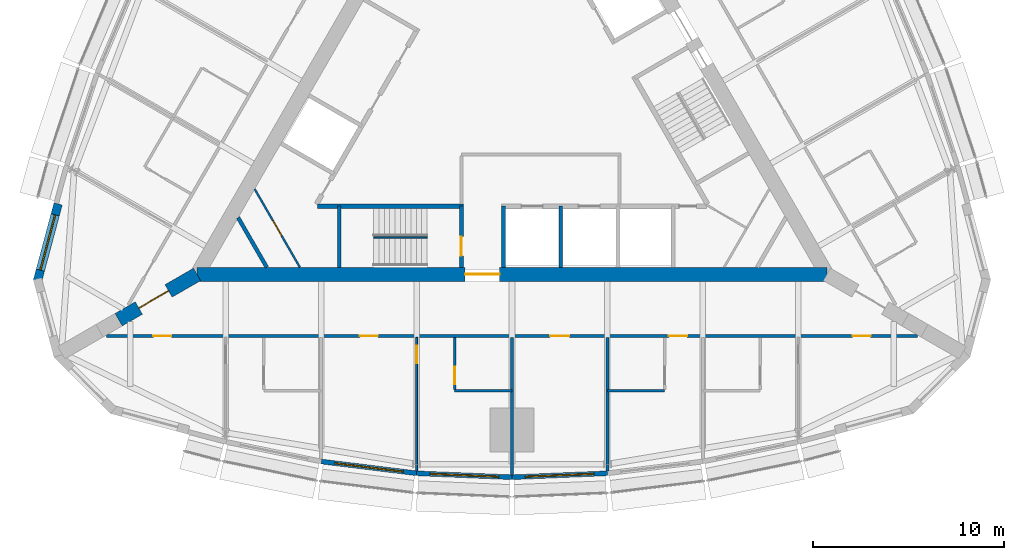
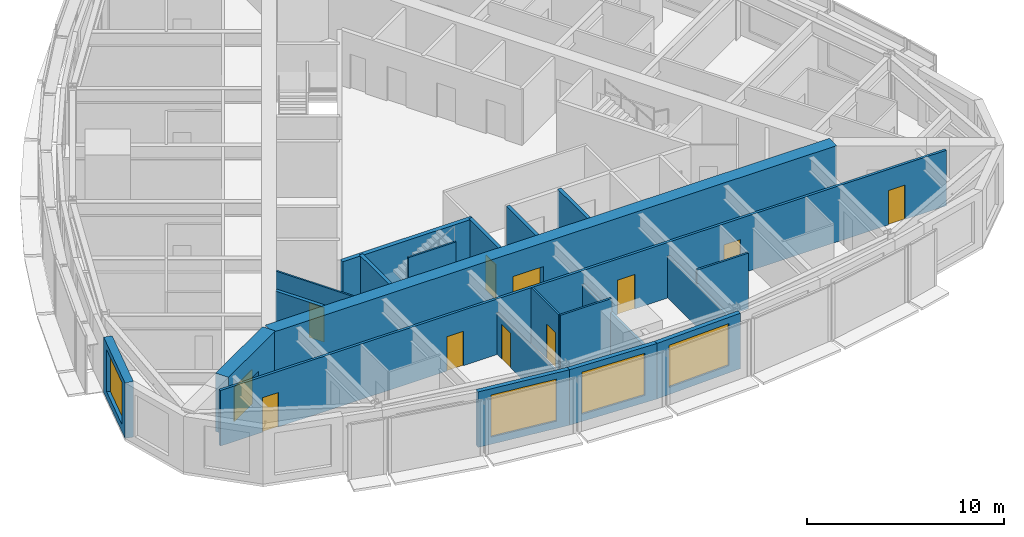
# One storey, part 9 of 15: 21 walls, 11 doors, 4 windows, 15 openings.
"""IFC4 building model written with IfcOpenShell, lengths in metres."""

import ifcopenshell
import ifcopenshell.guid

model = None  # the IFC model being written
_history = None  # IfcOwnerHistory: only IFC2X3 demands one
_inside = {}  # id of a spatial element -> (the spatial element, [elements in it])
_under = {}  # id of a project, library or spatial element -> (it, [spatial elements below it])
_declared = {}  # id of a project -> (the project, [libraries it declares])
_typed = {}  # id of a type object -> (the type object, [elements of that type])
_made_of = {}  # id of a material, layer set ... -> (it, [elements and type objects made of it])


def new_model(schema):
    """Start an empty IFC model of exactly this schema.

    Asked for "IFC4X3", IfcOpenShell would pick the latest addendum, in which some entities
    have other attributes; the version numbers below select the first issue.
    IFC2X3 requires an IfcOwnerHistory on every rooted entity: one is made here for all.
    """
    global model, _history
    if schema == "IFC4X3":
        model = ifcopenshell.file(schema_version=(4, 3, 0, 0))
    else:
        model = ifcopenshell.file(schema=schema)
    _inside.clear()
    _under.clear()
    _declared.clear()
    _typed.clear()
    _made_of.clear()
    _history = None
    if model.schema == "IFC2X3":
        org = make("IfcOrganization", Name="unknown")
        user = make(
            "IfcPersonAndOrganization",
            ThePerson=make("IfcPerson", FamilyName="unknown"),
            TheOrganization=org,
        )
        app = make(
            "IfcApplication",
            ApplicationDeveloper=org,
            Version="unknown",
            ApplicationFullName="unknown",
            ApplicationIdentifier="unknown",
        )
        _history = make(
            "IfcOwnerHistory",
            OwningUser=user,
            OwningApplication=app,
            ChangeAction="ADDED",
            CreationDate=0,
        )
    return model


def make(cls, **values):
    """One entity of the class cls with the attributes given. An attribute that is None is left unset."""
    return model.create_entity(
        cls, **{name: value for name, value in values.items() if value is not None}
    )


def rooted(cls, **values):
    """An entity with a GlobalId (a new one), such as an element, a storey or a relation."""
    return make(cls, GlobalId=ifcopenshell.guid.new(), OwnerHistory=_history, **values)


def si_unit(unit_type, name, prefix=None):
    """IfcSIUnit, for example si_unit("LENGTHUNIT", "METRE", prefix="MILLI")."""
    return make("IfcSIUnit", UnitType=unit_type, Prefix=prefix, Name=name)


def assignment(units):
    """IfcUnitAssignment: the units of a project."""
    return None if units is None else make("IfcUnitAssignment", Units=units)


def point(xyz):
    """IfcCartesianPoint."""
    return None if xyz is None else make("IfcCartesianPoint", Coordinates=xyz)


def direction(xyz):
    """IfcDirection."""
    return None if xyz is None else make("IfcDirection", DirectionRatios=xyz)


def frame(location, z_axis=None, x_axis=None):
    """IfcAxis2Placement3D, a coordinate frame: its origin and axes. An axis left out is left unset."""
    return make(
        "IfcAxis2Placement3D",
        Location=point(location),
        Axis=direction(z_axis),
        RefDirection=direction(x_axis),
    )


def frame_2d(location, x_axis=None):
    """IfcAxis2Placement2D, a coordinate frame in the plane: its origin and x axis."""
    return make(
        "IfcAxis2Placement2D", Location=point(location), RefDirection=direction(x_axis)
    )


def origin():
    """The frame at (0, 0, 0) with its axes left unset."""
    return frame((0.0, 0.0, 0.0))


def place(relative_to, where):
    """IfcLocalPlacement: puts the frame where relative to a parent placement (None: the world)."""
    return make(
        "IfcLocalPlacement", PlacementRelTo=relative_to, RelativePlacement=where
    )


def context(
    kind, dimensions, precision=None, world=None, true_north=None, identifier=None
):
    """IfcGeometricRepresentationContext, for example the 3D "Model" context."""
    return make(
        "IfcGeometricRepresentationContext",
        ContextIdentifier=identifier,
        ContextType=kind,
        CoordinateSpaceDimension=dimensions,
        Precision=precision,
        WorldCoordinateSystem=world,
        TrueNorth=true_north,
    )


def subcontext(parent, identifier, kind, view, scale=None):
    """IfcGeometricRepresentationSubContext, for example "Body" below "Model"."""
    return make(
        "IfcGeometricRepresentationSubContext",
        ContextIdentifier=identifier,
        ContextType=kind,
        ParentContext=parent,
        TargetScale=scale,
        TargetView=view,
    )


def project(units=None, contexts=None):
    """IfcProject with its units and contexts."""
    return rooted(
        "IfcProject",
        Name="project",
        RepresentationContexts=contexts,
        UnitsInContext=assignment(units),
    )


def spatial(cls, under=None, at=None, **own):
    """A site, building, storey or space (cls), placed at a placement, below another one or the project."""
    s = rooted(cls, ObjectPlacement=at, **own)
    if under is not None:
        _under.setdefault(under.id(), (under, []))[1].append(s)
    return s


def profile(cls, at=None, kind="AREA", **sizes):
    """A parametric profile (cls). Its sizes go by their IFC names, for example OverallWidth=200.0."""
    return make(cls, ProfileType=kind, Position=at, **sizes)


def rectangle(**sizes):
    """IfcRectangleProfileDef."""
    return profile("IfcRectangleProfileDef", **sizes)


def extrude(swept, where, along, depth):
    """IfcExtrudedAreaSolid: the profile swept, set in the frame where, extruded along a direction by depth."""
    return make(
        "IfcExtrudedAreaSolid",
        SweptArea=swept,
        Position=where,
        ExtrudedDirection=direction(along),
        Depth=depth,
    )


def shape(context_of_items, identifier, shape_type, items):
    """IfcShapeRepresentation: the items that make up one representation, for example the "Body"."""
    return make(
        "IfcShapeRepresentation",
        ContextOfItems=context_of_items,
        RepresentationIdentifier=identifier,
        RepresentationType=shape_type,
        Items=items,
    )


def material(Name=None, Category=None):
    """IfcMaterial."""
    return make("IfcMaterial", Name=Name, Category=Category)


def layer(
    of_material, thickness, ventilated=None, Name=None, Category=None, Priority=None
):
    """IfcMaterialLayer: one layer of a wall or slab, of a material (None: an air gap)."""
    return make(
        "IfcMaterialLayer",
        Material=of_material,
        LayerThickness=thickness,
        IsVentilated=ventilated,
        Name=Name,
        Category=Category,
        Priority=Priority,
    )


def layer_set(layers, Name=None):
    """IfcMaterialLayerSet."""
    return make("IfcMaterialLayerSet", MaterialLayers=layers, LayerSetName=Name)


def made_of(thing, what):
    """Note that an element or type object is made of a material, layer set ...; save() writes the relation."""
    if what is not None:
        _made_of.setdefault(what.id(), (what, []))[1].append(thing)
    return thing


def type_object(cls, material=None, **own):
    """A type object (cls), such as IfcWallType, which elements share."""
    return made_of(rooted(cls, **own), material)


def element(
    cls,
    number,
    at=None,
    inside=None,
    cuts=None,
    type_object=None,
    material=None,
    context=None,
    identifier="Body",
    shape_type=None,
    held_by="IfcProductDefinitionShape",
    body=None,
    shapes=None,
    **own,
):
    """One element of the class cls, such as IfcWall. Its Tag is "e" and its number.

    at: its placement. inside: the storey or other place that contains it. cuts: it is an
    opening in that element (IfcRelVoidsElement). A single representation is given by context,
    identifier, shape_type and body (its items); several are given by shapes. held_by: the class
    of the entity that holds the representations. save() writes the other relations.
    """
    e = rooted(cls, Tag="e%d" % number, ObjectPlacement=at, **own)
    if body is not None:
        shapes = [shape(context, identifier, shape_type, body)]
    if shapes is not None:
        e.Representation = make(held_by, Representations=shapes)
    if inside is not None:
        _inside.setdefault(inside.id(), (inside, []))[1].append(e)
    if cuts is not None:
        rooted(
            "IfcRelVoidsElement", RelatingBuildingElement=cuts, RelatedOpeningElement=e
        )
    if type_object is not None:
        _typed.setdefault(type_object.id(), (type_object, []))[1].append(e)
    return made_of(e, material)


def fill(opening, filler):
    """IfcRelFillsElement: the door or window that sits in an opening."""
    return rooted(
        "IfcRelFillsElement",
        RelatingOpeningElement=opening,
        RelatedBuildingElement=filler,
    )


def aggregate(whole, parts):
    """IfcRelAggregates: a whole, such as a stair, and the parts it consists of."""
    return rooted("IfcRelAggregates", RelatingObject=whole, RelatedObjects=parts)


def save(model, path):
    """Write the relations noted so far, then the file.

    IfcRelAggregates (storeys below a building ...), IfcRelContainedInSpatialStructure (elements
    in a storey), IfcRelDefinesByType, IfcRelAssociatesMaterial and IfcRelDeclares: one each for
    every whole, place, type object, material and project.
    """
    for whole, parts in _under.values():
        aggregate(whole, parts)
    for where, things in _inside.values():
        rooted(
            "IfcRelContainedInSpatialStructure",
            RelatedElements=things,
            RelatingStructure=where,
        )
    for kind, things in _typed.values():
        rooted("IfcRelDefinesByType", RelatedObjects=things, RelatingType=kind)
    for what, things in _made_of.values():
        rooted("IfcRelAssociatesMaterial", RelatedObjects=things, RelatingMaterial=what)
    for by, libraries in _declared.values():
        rooted("IfcRelDeclares", RelatingContext=by, RelatedDefinitions=libraries)
    model.write(path)


model = new_model("IFC4")

# Units and contexts
model_context = context("Model", 3, precision=1e-05, world=origin(), true_north=direction((0.0, 1.0)))
body_context = subcontext(model_context, "Body", "Model", "MODEL_VIEW")
ifc_project = project(units=[si_unit("LENGTHUNIT", "METRE"), si_unit("AREAUNIT", "SQUARE_METRE"), si_unit("VOLUMEUNIT", "CUBIC_METRE"), si_unit("PLANEANGLEUNIT", "RADIAN"), si_unit("MASSUNIT", "GRAM", prefix="KILO")], contexts=[model_context])

# Site, building, storey
site_placement = place(None, origin())
site = spatial("IfcSite", under=ifc_project, at=site_placement, CompositionType="ELEMENT")
building_placement = place(site_placement, origin())
building = spatial("IfcBuilding", under=site, at=building_placement, Name="Trikona Tower", CompositionType="ELEMENT")
storey_placement = place(building_placement, frame((0.0, 0.0, 226.10009765625)))
storey = spatial("IfcBuildingStorey", under=building, at=storey_placement, Name="L60", CompositionType="ELEMENT", Elevation=226.10009765625)

# Wall
ifc_material_1 = material(Name="Metal stud and cement board", Category="gypsum")
ifc_layer_1 = layer(ifc_material_1, 0.1201171875)
ifc_layer_set_1 = layer_set([ifc_layer_1], Name="Bathroom wall 120")
wall_type_1 = type_object("IfcWallType", Name="Bathroom wall 120", PredefinedType="PLUMBINGWALL", material=ifc_layer_set_1)
wall_1_placement = place(storey_placement, frame((-3.0, -15.626220703125, 0.0), z_axis=(0.0, 0.0, 1.0), x_axis=(1.0, 0.0, 0.0)))
element("IfcWall", 1, at=wall_1_placement, inside=storey, type_object=wall_type_1, Name="Bathroom wall 6002.1", PredefinedType="PLUMBINGWALL", context=body_context, shape_type="SweptSolid", body=[
    extrude(rectangle(XDim=3.0, YDim=0.1201171875, at=frame_2d((1.5, 0.0))), origin(), (0.0, 0.0, 1.0), 3.434814453125),
])

# Wall, opening, door
wall_2_placement = place(storey_placement, frame((-3.0, -12.826416015625, 0.0), z_axis=(0.0, 0.0, 1.0), x_axis=(0.0, -1.0, 0.0)))
wall_2 = element("IfcWall", 2, at=wall_2_placement, inside=storey, type_object=wall_type_1, Name="Bathroom wall 6002.1", PredefinedType="PLUMBINGWALL", context=body_context, shape_type="SweptSolid", body=[
    extrude(rectangle(XDim=2.739990234375, YDim=0.1201171875, at=frame_2d((1.3701171875, 0.0))), origin(), (0.0, 0.0, 1.0), 3.434814453125),
])
opening_1_placement = place(wall_2_placement, frame((1.550048828125, 0.0, 0.0)))
opening_1 = element("IfcOpeningElement", 3, at=opening_1_placement, cuts=wall_2, Name="Opening D2", PredefinedType="OPENING", context=body_context, shape_type="SweptSolid", body=[
    extrude(rectangle(XDim=0.89990234375, YDim=2.1298828125, at=frame_2d((0.449951171875, 1.06494140625))), frame((0.0, 0.070068359375, 0.0), z_axis=(0.0, -1.0, 0.0), x_axis=(1.0, 0.0, 0.0)), (0.0, 0.0, 1.0), 0.14013671875),
])
ifc_material_2 = material(Name="Steel door frame with solid-core timber leaf", Category="steel")
door_type_1 = type_object("IfcDoorType", Name="Bathroom door 900x2130", OperationType="SLIDING_TO_LEFT", PredefinedType="DOOR", material=ifc_material_2)
door_1_placement = place(opening_1_placement, origin())
door_1 = element("IfcDoor", 4, at=door_1_placement, inside=storey, type_object=door_type_1, Name="Bathroom door 6002.1", OperationType="SLIDING_TO_LEFT", OverallHeight=2.1298828125, OverallWidth=0.89990234375, PredefinedType="DOOR", context=body_context, shape_type="SweptSolid", body=[
    extrude(rectangle(XDim=0.89990234375, YDim=2.1298828125, at=frame_2d((0.449951171875, 1.06494140625))), frame((0.0, 0.02490234375, 0.0), z_axis=(0.0, -1.0, 0.0), x_axis=(1.0, 0.0, 0.0)), (0.0, 0.0, 1.0), 0.050048828125),
])
fill(opening_1, door_1)

# Wall
wall_3_placement = place(storey_placement, frame((5.0, -15.626220703125, 0.0), z_axis=(0.0, 0.0, 1.0), x_axis=(1.0, 0.0, 0.0)))
element("IfcWall", 5, at=wall_3_placement, inside=storey, type_object=wall_type_1, Name="Bathroom wall 6003", PredefinedType="PLUMBINGWALL", context=body_context, shape_type="SweptSolid", body=[
    extrude(rectangle(XDim=3.0, YDim=0.1201171875, at=frame_2d((1.5, 0.0))), origin(), (0.0, 0.0, 1.0), 3.434814453125),
])

# Wall, opening, window
ifc_material_3 = material(Name="Brick-faced precast concrete", Category="masonry")
ifc_layer_2 = layer(ifc_material_3, 0.449951171875)
ifc_layer_set_2 = layer_set([ifc_layer_2], Name="Brick-faced corner wall 450")
wall_type_2 = type_object("IfcWallType", Name="Brick-faced corner wall 450", PredefinedType="SOLIDWALL", material=ifc_layer_set_2)
wall_4_placement = place(storey_placement, frame((-23.78271484375, -5.831787109375, 0.0), z_axis=(0.0, 0.0, 1.0), x_axis=(-0.258784695888, -0.965935029479, 0.0)))
wall_4 = element("IfcWall", 6, at=wall_4_placement, inside=storey, type_object=wall_type_2, Name="External wall L60-32", PredefinedType="SOLIDWALL", context=body_context, shape_type="SweptSolid", body=[
    extrude(rectangle(XDim=4.18408203125, YDim=0.449951171875, at=frame_2d((2.092041015625, 0.0))), origin(), (0.0, 0.0, 1.0), 3.434814453125),
])
opening_2_placement = place(wall_4_placement, frame((0.592041015625, 0.0, 0.449951171875)))
opening_2 = element("IfcOpeningElement", 7, at=opening_2_placement, cuts=wall_4, Name="Opening W3026", PredefinedType="OPENING", context=body_context, shape_type="SweptSolid", body=[
    extrude(rectangle(XDim=3.0, YDim=2.60009765625, at=frame_2d((1.5, 1.300048828125))), frame((0.0, 0.23486328125, 0.0), z_axis=(0.0, -1.0, 0.0), x_axis=(1.0, 0.0, 0.0)), (0.0, 0.0, 1.0), 0.469970703125),
])
ifc_material_4 = material(Name="Aluminium-framed double glazing", Category="aluminium")
window_type_1 = type_object("IfcWindowType", Name="Window 3000x2600", PartitioningType="SINGLE_PANEL", PredefinedType="WINDOW", material=ifc_material_4)
window_1_placement = place(opening_2_placement, origin())
window_1 = element("IfcWindow", 8, at=window_1_placement, inside=storey, type_object=window_type_1, Name="Window 6012", OverallHeight=2.60009765625, OverallWidth=3.0, PartitioningType="SINGLE_PANEL", PredefinedType="WINDOW", context=body_context, shape_type="SweptSolid", body=[
    extrude(rectangle(XDim=3.0, YDim=2.60009765625, at=frame_2d((1.5, 1.300048828125))), frame((0.0, 0.030029296875, 0.0), z_axis=(0.0, -1.0, 0.0), x_axis=(1.0, 0.0, 0.0)), (0.0, 0.0, 1.0), 0.06005859375),
])
fill(opening_2, window_1)

# Wall, opening, door
ifc_material_5 = material(Name="Concrete f'c 10000 psi", Category="concrete")
ifc_layer_3 = layer(ifc_material_5, 0.75)
ifc_layer_set_3 = layer_set([ifc_layer_3], Name="Buttress wall 750")
wall_type_3 = type_object("IfcWallType", Name="Buttress wall 750", PredefinedType="SHEAR", material=ifc_layer_set_3)
wall_5_placement = place(storey_placement, frame((-16.5, -9.5263671875, 0.0), z_axis=(0.0, 0.0, 1.0), x_axis=(-0.866031398331, -0.499989616998, 0.0)))
wall_5 = element("IfcWall", 9, at=wall_5_placement, inside=storey, type_object=wall_type_3, Name="Buttress wall 3", PredefinedType="SHEAR", context=body_context, shape_type="SweptSolid", body=[
    extrude(rectangle(XDim=4.74609375, YDim=0.75, at=frame_2d((2.373046875, 0.0))), origin(), (0.0, 0.0, 1.0), 3.599853515625),
])
opening_3_placement = place(wall_5_placement, frame((1.72509765625, 0.0, 0.0)))
opening_3 = element("IfcOpeningElement", 10, at=opening_3_placement, cuts=wall_5, Name="Opening D10", PredefinedType="OPENING", context=body_context, shape_type="SweptSolid", body=[
    extrude(rectangle(XDim=1.800048828125, YDim=2.1298828125, at=frame_2d((0.89990234375, 1.06494140625))), frame((0.0, 0.385009765625, 0.0), z_axis=(0.0, -1.0, 0.0), x_axis=(1.0, 0.0, 0.0)), (0.0, 0.0, 1.0), 0.77001953125),
])
ifc_material_6 = material(Name="Hollow metal door and frame", Category="steel")
door_type_2 = type_object("IfcDoorType", Name="Cross-corridor door pair 1800x2130", OperationType="DOUBLE_DOOR_DOUBLE_SWING", PredefinedType="DOOR", material=ifc_material_6)
door_2_placement = place(opening_3_placement, origin())
door_2 = element("IfcDoor", 11, at=door_2_placement, inside=storey, type_object=door_type_2, Name="Cross-corridor door 3", OperationType="DOUBLE_DOOR_DOUBLE_SWING", OverallHeight=2.1298828125, OverallWidth=1.800048828125, PredefinedType="DOOR", context=body_context, shape_type="SweptSolid", body=[
    extrude(rectangle(XDim=1.800048828125, YDim=2.1298828125, at=frame_2d((0.89990234375, 1.06494140625))), frame((0.0, 0.02490234375, 0.0), z_axis=(0.0, -1.0, 0.0), x_axis=(1.0, 0.0, 0.0)), (0.0, 0.0, 1.0), 0.050048828125),
])
fill(opening_3, door_2)

ifc_material_7 = material(Name="Concrete f'c 10000 psi", Category="concrete")
ifc_layer_4 = layer(ifc_material_7, 0.75)
ifc_layer_set_4 = layer_set([ifc_layer_4], Name="Core wall 750")
wall_type_4 = type_object("IfcWallType", Name="Core wall 750", PredefinedType="SHEAR", material=ifc_layer_set_4)
wall_6_placement = place(storey_placement, frame((-16.5, -9.5263671875, 0.0), z_axis=(0.0, 0.0, 1.0), x_axis=(1.0, 0.0, 0.0)))
wall_6 = element("IfcWall", 12, at=wall_6_placement, inside=storey, type_object=wall_type_4, Name="Core wall A", PredefinedType="SHEAR", context=body_context, shape_type="SweptSolid", body=[
    extrude(rectangle(XDim=33.0, YDim=0.75, at=frame_2d((16.5, 0.0))), origin(), (0.0, 0.0, 1.0), 3.599853515625),
])
opening_4_placement = place(wall_6_placement, frame((14.050048828125, 0.0, 0.0)))
opening_4 = element("IfcOpeningElement", 13, at=opening_4_placement, cuts=wall_6, Name="Opening D6", PredefinedType="OPENING", context=body_context, shape_type="SweptSolid", body=[
    extrude(rectangle(XDim=1.800048828125, YDim=2.1298828125, at=frame_2d((0.89990234375, 1.06494140625))), frame((0.0, 0.385009765625, 0.0), z_axis=(0.0, -1.0, 0.0), x_axis=(1.0, 0.0, 0.0)), (0.0, 0.0, 1.0), 0.77001953125),
])
ifc_material_8 = material(Name="Hollow metal door and frame", Category="steel")
door_type_3 = type_object("IfcDoorType", Name="Lobby door pair 1800x2130", OperationType="DOUBLE_DOOR_SINGLE_SWING", PredefinedType="DOOR", material=ifc_material_8)
door_3_placement = place(opening_4_placement, origin())
door_3 = element("IfcDoor", 14, at=door_3_placement, inside=storey, type_object=door_type_3, Name="Fire service lift lobby door", OperationType="DOUBLE_DOOR_SINGLE_SWING", OverallHeight=2.1298828125, OverallWidth=1.800048828125, PredefinedType="DOOR", context=body_context, shape_type="SweptSolid", body=[
    extrude(rectangle(XDim=1.800048828125, YDim=2.1298828125, at=frame_2d((0.89990234375, 1.06494140625))), frame((0.0, 0.02490234375, 0.0), z_axis=(0.0, -1.0, 0.0), x_axis=(1.0, 0.0, 0.0)), (0.0, 0.0, 1.0), 0.050048828125),
])
fill(opening_4, door_3)

# Wall, openings, doors
ifc_material_9 = material(Name="Metal stud and gypsum board, 1-hour", Category="gypsum")
ifc_layer_5 = layer(ifc_material_9, 0.14990234375)
ifc_layer_set_5 = layer_set([ifc_layer_5], Name="Corridor wall 150")
wall_type_5 = type_object("IfcWallType", Name="Corridor wall 150", PredefinedType="PARTITIONING", material=ifc_layer_set_5)
wall_7_placement = place(storey_placement, frame((-21.23583984375, -12.751220703125, 0.0), z_axis=(0.0, 0.0, 1.0), x_axis=(1.0, 0.0, 0.0)))
wall_7 = element("IfcWall", 15, at=wall_7_placement, inside=storey, type_object=wall_type_5, Name="Corridor wall L60-1", PredefinedType="PARTITIONING", context=body_context, shape_type="SweptSolid", body=[
    extrude(rectangle(XDim=42.4716796875, YDim=0.14990234375, at=frame_2d((21.23583984375, 0.0))), origin(), (0.0, 0.0, 1.0), 3.434814453125),
])
opening_5_placement = place(wall_7_placement, frame((2.4443359375, 0.0, 0.0)))
opening_5 = element("IfcOpeningElement", 16, at=opening_5_placement, cuts=wall_7, Name="Opening D1", PredefinedType="OPENING", context=body_context, shape_type="SweptSolid", body=[
    extrude(rectangle(XDim=0.949951171875, YDim=2.1298828125, at=frame_2d((0.47509765625, 1.06494140625))), frame((0.0, 0.0849609375, 0.0), z_axis=(0.0, -1.0, 0.0), x_axis=(1.0, 0.0, 0.0)), (0.0, 0.0, 1.0), 0.169921875),
])
opening_6_placement = place(wall_7_placement, frame((13.260986328125, 0.0, 0.0)))
opening_6 = element("IfcOpeningElement", 17, at=opening_6_placement, cuts=wall_7, Name="Opening D1", PredefinedType="OPENING", context=body_context, shape_type="SweptSolid", body=[
    extrude(rectangle(XDim=0.949951171875, YDim=2.1298828125, at=frame_2d((0.47509765625, 1.06494140625))), frame((0.0, 0.0849609375, 0.0), z_axis=(0.0, -1.0, 0.0), x_axis=(1.0, 0.0, 0.0)), (0.0, 0.0, 1.0), 0.169921875),
])
opening_7_placement = place(wall_7_placement, frame((23.23583984375, 0.0, 0.0)))
opening_7 = element("IfcOpeningElement", 18, at=opening_7_placement, cuts=wall_7, Name="Opening D3", PredefinedType="OPENING", context=body_context, shape_type="SweptSolid", body=[
    extrude(rectangle(XDim=1.0, YDim=2.1298828125, at=frame_2d((0.5, 1.06494140625))), frame((0.0, 0.0849609375, 0.0), z_axis=(0.0, -1.0, 0.0), x_axis=(1.0, 0.0, 0.0)), (0.0, 0.0, 1.0), 0.169921875),
])
opening_8_placement = place(wall_7_placement, frame((29.4609375, 0.0, 0.0)))
opening_8 = element("IfcOpeningElement", 19, at=opening_8_placement, cuts=wall_7, Name="Opening D1", PredefinedType="OPENING", context=body_context, shape_type="SweptSolid", body=[
    extrude(rectangle(XDim=0.949951171875, YDim=2.1298828125, at=frame_2d((0.47509765625, 1.06494140625))), frame((0.0, 0.0849609375, 0.0), z_axis=(0.0, -1.0, 0.0), x_axis=(1.0, 0.0, 0.0)), (0.0, 0.0, 1.0), 0.169921875),
])
opening_9_placement = place(wall_7_placement, frame((39.077392578125, 0.0, 0.0)))
opening_9 = element("IfcOpeningElement", 20, at=opening_9_placement, cuts=wall_7, Name="Opening D1", PredefinedType="OPENING", context=body_context, shape_type="SweptSolid", body=[
    extrude(rectangle(XDim=0.949951171875, YDim=2.1298828125, at=frame_2d((0.47509765625, 1.06494140625))), frame((0.0, 0.0849609375, 0.0), z_axis=(0.0, -1.0, 0.0), x_axis=(1.0, 0.0, 0.0)), (0.0, 0.0, 1.0), 0.169921875),
])
ifc_material_10 = material(Name="Steel door frame with solid-core timber leaf", Category="steel")
door_type_4 = type_object("IfcDoorType", Name="Guest room door 950x2130", OperationType="SINGLE_SWING_LEFT", PredefinedType="DOOR", material=ifc_material_10)
door_4_placement = place(opening_5_placement, origin())
door_4 = element("IfcDoor", 21, at=door_4_placement, inside=storey, type_object=door_type_4, Name="Room door 6001", OperationType="SINGLE_SWING_LEFT", OverallHeight=2.1298828125, OverallWidth=0.949951171875, PredefinedType="DOOR", context=body_context, shape_type="SweptSolid", body=[
    extrude(rectangle(XDim=0.949951171875, YDim=2.1298828125, at=frame_2d((0.47509765625, 1.06494140625))), frame((0.0, 0.02490234375, 0.0), z_axis=(0.0, -1.0, 0.0), x_axis=(1.0, 0.0, 0.0)), (0.0, 0.0, 1.0), 0.050048828125),
])
fill(opening_5, door_4)
door_5_placement = place(opening_6_placement, origin())
door_5 = element("IfcDoor", 22, at=door_5_placement, inside=storey, type_object=door_type_4, Name="Room door 6002", OperationType="SINGLE_SWING_RIGHT", OverallHeight=2.1298828125, OverallWidth=0.949951171875, PredefinedType="DOOR", context=body_context, shape_type="SweptSolid", body=[
    extrude(rectangle(XDim=0.949951171875, YDim=2.1298828125, at=frame_2d((0.47509765625, 1.06494140625))), frame((0.0, 0.02490234375, 0.0), z_axis=(0.0, -1.0, 0.0), x_axis=(1.0, 0.0, 0.0)), (0.0, 0.0, 1.0), 0.050048828125),
])
fill(opening_6, door_5)
door_6_placement = place(opening_8_placement, origin())
door_6 = element("IfcDoor", 23, at=door_6_placement, inside=storey, type_object=door_type_4, Name="Room door 6003", OperationType="SINGLE_SWING_RIGHT", OverallHeight=2.1298828125, OverallWidth=0.949951171875, PredefinedType="DOOR", context=body_context, shape_type="SweptSolid", body=[
    extrude(rectangle(XDim=0.949951171875, YDim=2.1298828125, at=frame_2d((0.47509765625, 1.06494140625))), frame((0.0, 0.02490234375, 0.0), z_axis=(0.0, -1.0, 0.0), x_axis=(1.0, 0.0, 0.0)), (0.0, 0.0, 1.0), 0.050048828125),
])
fill(opening_8, door_6)
door_7_placement = place(opening_9_placement, origin())
door_7 = element("IfcDoor", 24, at=door_7_placement, inside=storey, type_object=door_type_4, Name="Room door 6004", OperationType="SINGLE_SWING_RIGHT", OverallHeight=2.1298828125, OverallWidth=0.949951171875, PredefinedType="DOOR", context=body_context, shape_type="SweptSolid", body=[
    extrude(rectangle(XDim=0.949951171875, YDim=2.1298828125, at=frame_2d((0.47509765625, 1.06494140625))), frame((0.0, 0.02490234375, 0.0), z_axis=(0.0, -1.0, 0.0), x_axis=(1.0, 0.0, 0.0)), (0.0, 0.0, 1.0), 0.050048828125),
])
fill(opening_9, door_7)
ifc_material_11 = material(Name="Steel door frame with solid-core timber leaf", Category="steel")
door_type_5 = type_object("IfcDoorType", Name="Room door 1000x2130", OperationType="SINGLE_SWING_LEFT", PredefinedType="DOOR", material=ifc_material_11)
door_8_placement = place(opening_7_placement, origin())
door_8 = element("IfcDoor", 25, at=door_8_placement, inside=storey, type_object=door_type_5, Name="Door Housekeeping pantry", OperationType="SINGLE_SWING_LEFT", OverallHeight=2.1298828125, OverallWidth=1.0, PredefinedType="DOOR", context=body_context, shape_type="SweptSolid", body=[
    extrude(rectangle(XDim=1.0, YDim=2.1298828125, at=frame_2d((0.5, 1.06494140625))), frame((0.0, 0.02490234375, 0.0), z_axis=(0.0, -1.0, 0.0), x_axis=(1.0, 0.0, 0.0)), (0.0, 0.0, 1.0), 0.050048828125),
])
fill(opening_7, door_8)

# Wall
ifc_material_12 = material(Name="Concrete f'c 8000 psi", Category="concrete")
ifc_layer_6 = layer(ifc_material_12, 0.25)
ifc_layer_set_6 = layer_set([ifc_layer_6], Name="Hub wall 250")
wall_type_6 = type_object("IfcWallType", Name="Hub wall 250", PredefinedType="SOLIDWALL", material=ifc_layer_set_6)
wall_8_placement = place(storey_placement, frame((-10.182861328125, -5.951416015625, 0.0), z_axis=(0.0, 0.0, 1.0), x_axis=(1.0, 0.0, 0.0)))
element("IfcWall", 26, at=wall_8_placement, inside=storey, type_object=wall_type_6, Name="Lift lobby wall A1", PredefinedType="SOLIDWALL", context=body_context, shape_type="SweptSolid", body=[
    extrude(rectangle(XDim=7.6328125, YDim=0.25, at=frame_2d((3.81640625, 0.0))), origin(), (0.0, 0.0, 1.0), 3.434814453125),
])

# Wall, opening, window
ifc_material_13 = material(Name="Insulated precast concrete spandrel panel", Category="concrete")
ifc_layer_7 = layer(ifc_material_13, 0.25)
ifc_layer_set_7 = layer_set([ifc_layer_7], Name="Inner skin wall 250")
wall_type_7 = type_object("IfcWallType", Name="Inner skin wall 250", PredefinedType="STANDARD", material=ifc_layer_set_7)
wall_9_placement = place(storey_placement, frame((-9.984619140625, -19.330078125, 0.0), z_axis=(0.0, 0.0, 1.0), x_axis=(0.992449874964, -0.12265090984, 0.0)))
wall_9 = element("IfcWall", 27, at=wall_9_placement, inside=storey, type_object=wall_type_7, Name="External wall L60-02", PredefinedType="STANDARD", context=body_context, shape_type="SweptSolid", body=[
    extrude(rectangle(XDim=5.0380859375, YDim=0.25, at=frame_2d((2.51904296875, 0.0))), origin(), (0.0, 0.0, 1.0), 3.434814453125),
])
opening_10_placement = place(wall_9_placement, frame((0.718994140625, 0.0, 0.449951171875)))
opening_10 = element("IfcOpeningElement", 28, at=opening_10_placement, cuts=wall_9, Name="Opening W3626", PredefinedType="OPENING", context=body_context, shape_type="SweptSolid", body=[
    extrude(rectangle(XDim=3.60009765625, YDim=2.60009765625, at=frame_2d((1.800048828125, 1.300048828125))), frame((0.0, 0.135009765625, 0.0), z_axis=(0.0, -1.0, 0.0), x_axis=(1.0, 0.0, 0.0)), (0.0, 0.0, 1.0), 0.27001953125),
])
ifc_material_14 = material(Name="Aluminium-framed double glazing", Category="aluminium")
window_type_2 = type_object("IfcWindowType", Name="Window 3600x2600", PartitioningType="SINGLE_PANEL", PredefinedType="WINDOW", material=ifc_material_14)
window_2_placement = place(opening_10_placement, origin())
window_2 = element("IfcWindow", 29, at=window_2_placement, inside=storey, type_object=window_type_2, Name="Window 6002", OverallHeight=2.60009765625, OverallWidth=3.60009765625, PartitioningType="SINGLE_PANEL", PredefinedType="WINDOW", context=body_context, shape_type="SweptSolid", body=[
    extrude(rectangle(XDim=3.60009765625, YDim=2.60009765625, at=frame_2d((1.800048828125, 1.300048828125))), frame((0.0, 0.030029296875, 0.0), z_axis=(0.0, -1.0, 0.0), x_axis=(1.0, 0.0, 0.0)), (0.0, 0.0, 1.0), 0.06005859375),
])
fill(opening_10, window_2)

wall_10_placement = place(storey_placement, frame((-4.994873046875, -19.947021484375, 0.0), z_axis=(0.0, 0.0, 1.0), x_axis=(0.999151909423, -0.041175986892, 0.0)))
wall_10 = element("IfcWall", 30, at=wall_10_placement, inside=storey, type_object=wall_type_7, Name="External wall L60-03", PredefinedType="STANDARD", context=body_context, shape_type="SweptSolid", body=[
    extrude(rectangle(XDim=5.004150390625, YDim=0.25, at=frame_2d((2.501953125, 0.0))), origin(), (0.0, 0.0, 1.0), 3.434814453125),
])
opening_11_placement = place(wall_10_placement, frame((0.7021484375, 0.0, 0.449951171875)))
opening_11 = element("IfcOpeningElement", 31, at=opening_11_placement, cuts=wall_10, Name="Opening W3626", PredefinedType="OPENING", context=body_context, shape_type="SweptSolid", body=[
    extrude(rectangle(XDim=3.60009765625, YDim=2.60009765625, at=frame_2d((1.800048828125, 1.300048828125))), frame((0.0, 0.135009765625, 0.0), z_axis=(0.0, -1.0, 0.0), x_axis=(1.0, 0.0, 0.0)), (0.0, 0.0, 1.0), 0.27001953125),
])
window_3_placement = place(opening_11_placement, origin())
window_3 = element("IfcWindow", 32, at=window_3_placement, inside=storey, type_object=window_type_2, Name="Window 6002.1", OverallHeight=2.60009765625, OverallWidth=3.60009765625, PartitioningType="SINGLE_PANEL", PredefinedType="WINDOW", context=body_context, shape_type="SweptSolid", body=[
    extrude(rectangle(XDim=3.60009765625, YDim=2.60009765625, at=frame_2d((1.800048828125, 1.300048828125))), frame((0.0, 0.030029296875, 0.0), z_axis=(0.0, -1.0, 0.0), x_axis=(1.0, 0.0, 0.0)), (0.0, 0.0, 1.0), 0.06005859375),
])
fill(opening_11, window_3)

wall_11_placement = place(storey_placement, frame((-0.005126953125, -20.153076171875, 0.0), z_axis=(0.0, 0.0, 1.0), x_axis=(0.999151909423, 0.041175986892, 0.0)))
wall_11 = element("IfcWall", 33, at=wall_11_placement, inside=storey, type_object=wall_type_7, Name="External wall L60-04", PredefinedType="STANDARD", context=body_context, shape_type="SweptSolid", body=[
    extrude(rectangle(XDim=5.004150390625, YDim=0.25, at=frame_2d((2.501953125, 0.0))), origin(), (0.0, 0.0, 1.0), 3.434814453125),
])
opening_12_placement = place(wall_11_placement, frame((0.7021484375, 0.0, 0.449951171875)))
opening_12 = element("IfcOpeningElement", 34, at=opening_12_placement, cuts=wall_11, Name="Opening W3626", PredefinedType="OPENING", context=body_context, shape_type="SweptSolid", body=[
    extrude(rectangle(XDim=3.60009765625, YDim=2.60009765625, at=frame_2d((1.800048828125, 1.300048828125))), frame((0.0, 0.135009765625, 0.0), z_axis=(0.0, -1.0, 0.0), x_axis=(1.0, 0.0, 0.0)), (0.0, 0.0, 1.0), 0.27001953125),
])
window_4_placement = place(opening_12_placement, origin())
window_4 = element("IfcWindow", 35, at=window_4_placement, inside=storey, type_object=window_type_2, Name="Window L60-HKP", OverallHeight=2.60009765625, OverallWidth=3.60009765625, PartitioningType="SINGLE_PANEL", PredefinedType="WINDOW", context=body_context, shape_type="SweptSolid", body=[
    extrude(rectangle(XDim=3.60009765625, YDim=2.60009765625, at=frame_2d((1.800048828125, 1.300048828125))), frame((0.0, 0.030029296875, 0.0), z_axis=(0.0, -1.0, 0.0), x_axis=(1.0, 0.0, 0.0)), (0.0, 0.0, 1.0), 0.06005859375),
])
fill(opening_12, window_4)

# Walls
ifc_material_15 = material(Name="Metal stud and gypsum board, 1-hour acoustic", Category="gypsum")
ifc_layer_8 = layer(ifc_material_15, 0.14990234375)
ifc_layer_set_8 = layer_set([ifc_layer_8], Name="Party wall 150")
wall_type_8 = type_object("IfcWallType", Name="Party wall 150", PredefinedType="PARTITIONING", material=ifc_layer_set_8)
wall_12_placement = place(storey_placement, frame((0.0, -12.826416015625, 0.0), z_axis=(0.0, 0.0, 1.0), x_axis=(0.0, -1.0, 0.0)))
element("IfcWall", 36, at=wall_12_placement, inside=storey, type_object=wall_type_8, Name="Partition L60 F1 u0", PredefinedType="PARTITIONING", context=body_context, shape_type="SweptSolid", body=[
    extrude(rectangle(XDim=7.201171875, YDim=0.14990234375, at=frame_2d((3.6005859375, 0.0))), origin(), (0.0, 0.0, 1.0), 2.589111328125),
])
wall_13_placement = place(storey_placement, frame((5.0, -12.826416015625, 0.0), z_axis=(0.0, 0.0, 1.0), x_axis=(0.0, -1.0, 0.0)))
element("IfcWall", 37, at=wall_13_placement, inside=storey, type_object=wall_type_8, Name="Partition L60 F1 u5", PredefinedType="PARTITIONING", context=body_context, shape_type="SweptSolid", body=[
    extrude(rectangle(XDim=6.99365234375, YDim=0.14990234375, at=frame_2d((3.496826171875, 0.0))), origin(), (0.0, 0.0, 1.0), 2.589111328125),
])
ifc_material_16 = material(Name="Concrete f'c 8000 psi", Category="concrete")
ifc_layer_9 = layer(ifc_material_16, 0.199951171875)
ifc_layer_set_9 = layer_set([ifc_layer_9], Name="Shaft wall 200")
wall_type_9 = type_object("IfcWallType", Name="Shaft wall 200", PredefinedType="SOLIDWALL", material=ifc_layer_set_9)
for number, where, z_axis, x_axis, name in (
    (38, (-0.449951171875, -5.951416015625, 0.0), (0.0, 0.0, 1.0), (0.0, -1.0, 0.0), "Shaft wall A3"),
    (39, (2.550048828125, -5.951416015625, 0.0), (0.0, 0.0, 1.0), (0.0, -1.0, 0.0), "Shaft wall A4"),
):
    element("IfcWall", number, at=place(storey_placement, frame(where, z_axis=z_axis, x_axis=x_axis)), inside=storey, type_object=wall_type_9, Name=name, PredefinedType="SOLIDWALL", context=body_context, shape_type="SweptSolid", body=[
        extrude(rectangle(XDim=3.199951171875, YDim=0.199951171875, at=frame_2d((1.60009765625, 0.0))), origin(), (0.0, 0.0, 1.0), 3.434814453125),
    ])
wall_14_placement = place(storey_placement, frame((-12.848388671875, -9.1513671875, 0.0), z_axis=(0.0, 0.0, 1.0), x_axis=(-0.499952404951, 0.866052881055, 0.0)))
element("IfcWall", 40, at=wall_14_placement, inside=storey, type_object=wall_type_9, Name="Riser wall L60-RS3", PredefinedType="SOLIDWALL", context=body_context, shape_type="SweptSolid", body=[
    extrude(rectangle(XDim=3.002197265625, YDim=0.199951171875, at=frame_2d((1.5009765625, 0.0))), origin(), (0.0, 0.0, 1.0), 3.434814453125),
])
ifc_material_17 = material(Name="Concrete f'c 8000 psi", Category="concrete")
ifc_layer_10 = layer(ifc_material_17, 0.199951171875)
ifc_layer_set_10 = layer_set([ifc_layer_10], Name="Shaft wall 200 load-bearing")
wall_type_10 = type_object("IfcWallType", Name="Shaft wall 200 load-bearing", PredefinedType="SOLIDWALL", material=ifc_layer_set_10)
wall_15_placement = place(storey_placement, frame((-9.050048828125, -5.951416015625, 0.0), z_axis=(0.0, 0.0, 1.0), x_axis=(0.0, -1.0, 0.0)))
element("IfcWall", 41, at=wall_15_placement, inside=storey, type_object=wall_type_10, Name="Shaft wall A1", PredefinedType="SOLIDWALL", context=body_context, shape_type="SweptSolid", body=[
    extrude(rectangle(XDim=3.199951171875, YDim=0.199951171875, at=frame_2d((1.60009765625, 0.0))), origin(), (0.0, 0.0, 1.0), 3.434814453125),
])

# Wall, opening, door
wall_16_placement = place(storey_placement, frame((-2.64990234375, -5.951416015625, 0.0), z_axis=(0.0, 0.0, 1.0), x_axis=(0.0, -1.0, 0.0)))
wall_16 = element("IfcWall", 42, at=wall_16_placement, inside=storey, type_object=wall_type_10, Name="Shaft wall A2", PredefinedType="SOLIDWALL", context=body_context, shape_type="SweptSolid", body=[
    extrude(rectangle(XDim=3.199951171875, YDim=0.199951171875, at=frame_2d((1.60009765625, 0.0))), origin(), (0.0, 0.0, 1.0), 3.434814453125),
])
opening_13_placement = place(wall_16_placement, frame((1.60009765625, 0.0, 0.0)))
opening_13 = element("IfcOpeningElement", 43, at=opening_13_placement, cuts=wall_16, Name="Opening D5", PredefinedType="OPENING", context=body_context, shape_type="SweptSolid", body=[
    extrude(rectangle(XDim=1.0, YDim=2.1298828125, at=frame_2d((0.5, 1.06494140625))), frame((0.0, 0.10986328125, 0.0), z_axis=(0.0, -1.0, 0.0), x_axis=(1.0, 0.0, 0.0)), (0.0, 0.0, 1.0), 0.219970703125),
])
ifc_material_18 = material(Name="Hollow metal door and frame", Category="steel")
door_type_6 = type_object("IfcDoorType", Name="Stair door 1000x2130", OperationType="SINGLE_SWING_LEFT", PredefinedType="DOOR", material=ifc_material_18)
door_9_placement = place(opening_13_placement, origin())
door_9 = element("IfcDoor", 44, at=door_9_placement, inside=storey, type_object=door_type_6, Name="Stair A door", OperationType="SINGLE_SWING_RIGHT", OverallHeight=2.1298828125, OverallWidth=1.0, PredefinedType="DOOR", context=body_context, shape_type="SweptSolid", body=[
    extrude(rectangle(XDim=1.0, YDim=2.1298828125, at=frame_2d((0.5, 1.06494140625))), frame((0.0, 0.02490234375, 0.0), z_axis=(0.0, -1.0, 0.0), x_axis=(1.0, 0.0, 0.0)), (0.0, 0.0, 1.0), 0.050048828125),
])
fill(opening_13, door_9)

# Wall
ifc_material_19 = material(Name="Concrete f'c 5000 psi", Category="concrete")
ifc_layer_11 = layer(ifc_material_19, 0.10009765625)
ifc_layer_set_11 = layer_set([ifc_layer_11], Name="Stair spine wall 100")
wall_type_11 = type_object("IfcWallType", Name="Stair spine wall 100", PredefinedType="SOLIDWALL", material=ifc_layer_set_11)
wall_17_placement = place(storey_placement, frame((-7.2470703125, -7.576416015625, 0.0), z_axis=(0.0, 0.0, 1.0), x_axis=(1.0, 0.0, 0.0)))
element("IfcWall", 45, at=wall_17_placement, inside=storey, type_object=wall_type_11, Name="Stair A spine wall L60", PredefinedType="SOLIDWALL", context=body_context, shape_type="SweptSolid", body=[
    extrude(rectangle(XDim=2.794189453125, YDim=0.10009765625, at=frame_2d((1.39697265625, 0.0))), origin(), (0.0, 0.0, 1.0), 3.599853515625),
])

# Wall, opening, door
ifc_material_20 = material(Name="Metal stud and gypsum board, acoustic", Category="gypsum")
ifc_layer_12 = layer(ifc_material_20, 0.10009765625)
ifc_layer_set_12 = layer_set([ifc_layer_12], Name="Suite partition 100")
wall_type_12 = type_object("IfcWallType", Name="Suite partition 100", PredefinedType="PARTITIONING", material=ifc_layer_set_12)
wall_18_placement = place(storey_placement, frame((-5.0, -12.826416015625, 0.0), z_axis=(0.0, 0.0, 1.0), x_axis=(0.0, -1.0, 0.0)))
wall_18 = element("IfcWall", 46, at=wall_18_placement, inside=storey, type_object=wall_type_12, Name="Suite partition L60 F1 u-5", PredefinedType="PARTITIONING", context=body_context, shape_type="SweptSolid", body=[
    extrude(rectangle(XDim=6.99365234375, YDim=0.10009765625, at=frame_2d((3.496826171875, 0.0))), origin(), (0.0, 0.0, 1.0), 2.589111328125),
])
opening_14_placement = place(wall_18_placement, frame((0.449951171875, 0.0, 0.0)))
opening_14 = element("IfcOpeningElement", 47, at=opening_14_placement, cuts=wall_18, Name="Opening D13", PredefinedType="OPENING", context=body_context, shape_type="SweptSolid", body=[
    extrude(rectangle(XDim=0.89990234375, YDim=2.1298828125, at=frame_2d((0.449951171875, 1.06494140625))), frame((0.0, 0.06005859375, 0.0), z_axis=(0.0, -1.0, 0.0), x_axis=(1.0, 0.0, 0.0)), (0.0, 0.0, 1.0), 0.1201171875),
])
ifc_material_21 = material(Name="Steel door frame with solid-core timber leaf", Category="steel")
door_type_7 = type_object("IfcDoorType", Name="Suite door 900x2130", OperationType="SINGLE_SWING_LEFT", PredefinedType="DOOR", material=ifc_material_21)
door_10_placement = place(opening_14_placement, origin())
door_10 = element("IfcDoor", 48, at=door_10_placement, inside=storey, type_object=door_type_7, Name="Suite door 6002", OperationType="SINGLE_SWING_LEFT", OverallHeight=2.1298828125, OverallWidth=0.89990234375, PredefinedType="DOOR", context=body_context, shape_type="SweptSolid", body=[
    extrude(rectangle(XDim=0.89990234375, YDim=2.1298828125, at=frame_2d((0.449951171875, 1.06494140625))), frame((0.0, 0.02490234375, 0.0), z_axis=(0.0, -1.0, 0.0), x_axis=(1.0, 0.0, 0.0)), (0.0, 0.0, 1.0), 0.050048828125),
])
fill(opening_14, door_10)

wall_19_placement = place(storey_placement, frame((-11.1162109375, -9.1513671875, 0.0), z_axis=(0.0, 0.0, 1.0), x_axis=(-0.499999210213, 0.866025859768, 0.0)))
wall_19 = element("IfcWall", 49, at=wall_19_placement, inside=storey, type_object=wall_type_12, Name="Store partition L60-RS3", PredefinedType="PARTITIONING", context=body_context, shape_type="SweptSolid", body=[
    extrude(rectangle(XDim=4.734375, YDim=0.10009765625, at=frame_2d((2.3671875, 0.0))), origin(), (0.0, 0.0, 1.0), 3.434814453125),
])
opening_15_placement = place(wall_19_placement, frame((1.917236328125, 0.0, 0.0)))
opening_15 = element("IfcOpeningElement", 50, at=opening_15_placement, cuts=wall_19, Name="Opening D15", PredefinedType="OPENING", context=body_context, shape_type="SweptSolid", body=[
    extrude(rectangle(XDim=0.89990234375, YDim=2.1298828125, at=frame_2d((0.449951171875, 1.06494140625))), frame((0.0, 0.06005859375, 0.0), z_axis=(0.0, -1.0, 0.0), x_axis=(1.0, 0.0, 0.0)), (0.0, 0.0, 1.0), 0.1201171875),
])
ifc_material_22 = material(Name="Steel door frame with solid-core timber leaf", Category="steel")
door_type_8 = type_object("IfcDoorType", Name="Store door 900x2130", OperationType="SINGLE_SWING_LEFT", PredefinedType="DOOR", material=ifc_material_22)
door_11_placement = place(opening_15_placement, origin())
door_11 = element("IfcDoor", 51, at=door_11_placement, inside=storey, type_object=door_type_8, Name="Door Cleaner's store CLN", OperationType="SINGLE_SWING_RIGHT", OverallHeight=2.1298828125, OverallWidth=0.89990234375, PredefinedType="DOOR", context=body_context, shape_type="SweptSolid", body=[
    extrude(rectangle(XDim=0.89990234375, YDim=2.1298828125, at=frame_2d((0.449951171875, 1.06494140625))), frame((0.0, 0.02490234375, 0.0), z_axis=(0.0, -1.0, 0.0), x_axis=(1.0, 0.0, 0.0)), (0.0, 0.0, 1.0), 0.050048828125),
])
fill(opening_15, door_11)

save(model, "model.ifc")
